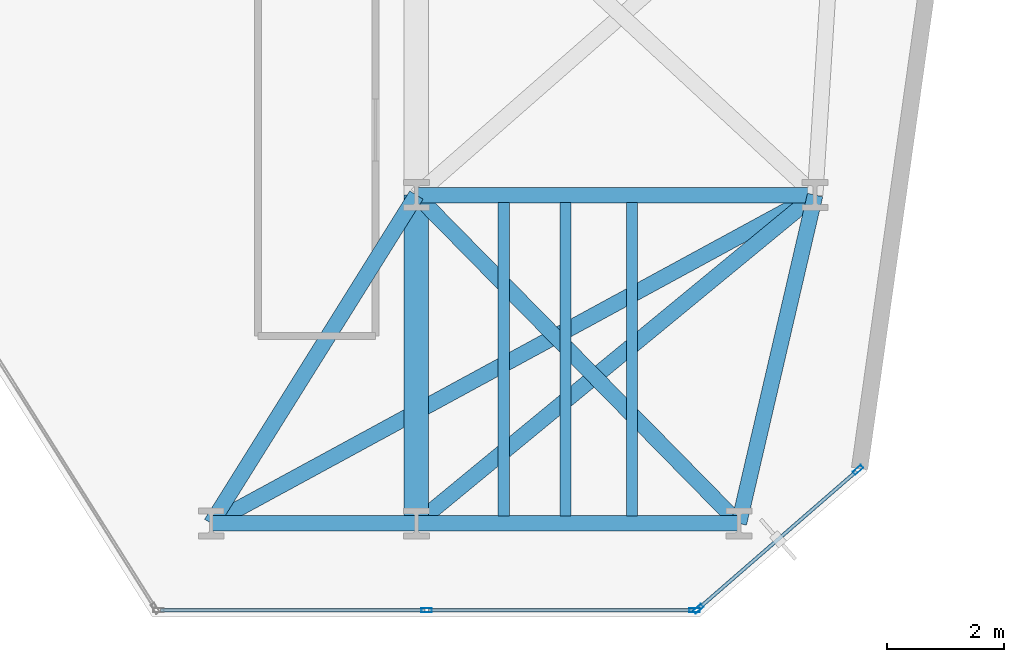
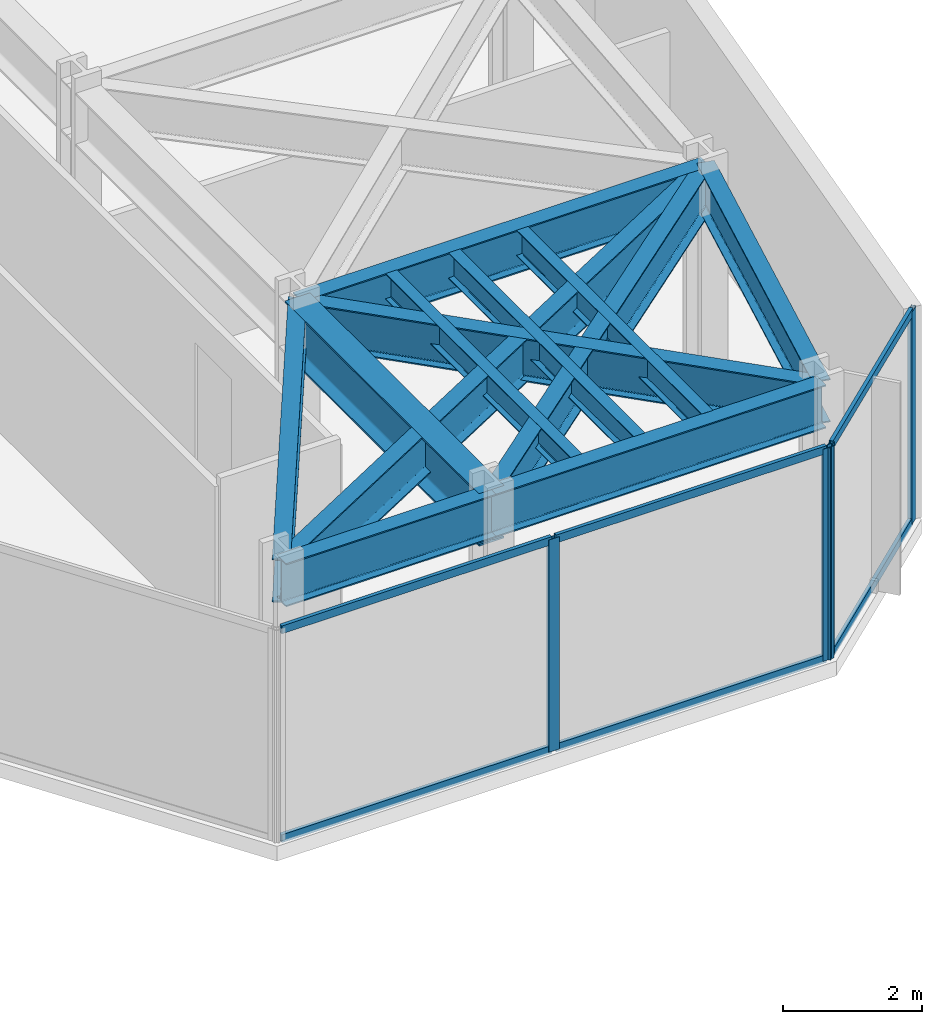
# One storey, part 13 of 25: 12 beams, 10 members, 2 elements without a shape of their own.
"""IFC4 building model written with IfcOpenShell, lengths in metres."""

import ifcopenshell
import ifcopenshell.guid

model = None  # the IFC model being written
_history = None  # IfcOwnerHistory: only IFC2X3 demands one
_inside = {}  # id of a spatial element -> (the spatial element, [elements in it])
_under = {}  # id of a project, library or spatial element -> (it, [spatial elements below it])
_declared = {}  # id of a project -> (the project, [libraries it declares])
_typed = {}  # id of a type object -> (the type object, [elements of that type])
_made_of = {}  # id of a material, layer set ... -> (it, [elements and type objects made of it])


def new_model(schema):
    """Start an empty IFC model of exactly this schema.

    Asked for "IFC4X3", IfcOpenShell would pick the latest addendum, in which some entities
    have other attributes; the version numbers below select the first issue.
    IFC2X3 requires an IfcOwnerHistory on every rooted entity: one is made here for all.
    """
    global model, _history
    if schema == "IFC4X3":
        model = ifcopenshell.file(schema_version=(4, 3, 0, 0))
    else:
        model = ifcopenshell.file(schema=schema)
    _inside.clear()
    _under.clear()
    _declared.clear()
    _typed.clear()
    _made_of.clear()
    _history = None
    if model.schema == "IFC2X3":
        org = make("IfcOrganization", Name="unknown")
        user = make(
            "IfcPersonAndOrganization",
            ThePerson=make("IfcPerson", FamilyName="unknown"),
            TheOrganization=org,
        )
        app = make(
            "IfcApplication",
            ApplicationDeveloper=org,
            Version="unknown",
            ApplicationFullName="unknown",
            ApplicationIdentifier="unknown",
        )
        _history = make(
            "IfcOwnerHistory",
            OwningUser=user,
            OwningApplication=app,
            ChangeAction="ADDED",
            CreationDate=0,
        )
    return model


def make(cls, **values):
    """One entity of the class cls with the attributes given. An attribute that is None is left unset."""
    return model.create_entity(
        cls, **{name: value for name, value in values.items() if value is not None}
    )


def rooted(cls, **values):
    """An entity with a GlobalId (a new one), such as an element, a storey or a relation."""
    return make(cls, GlobalId=ifcopenshell.guid.new(), OwnerHistory=_history, **values)


def si_unit(unit_type, name, prefix=None):
    """IfcSIUnit, for example si_unit("LENGTHUNIT", "METRE", prefix="MILLI")."""
    return make("IfcSIUnit", UnitType=unit_type, Prefix=prefix, Name=name)


def assignment(units):
    """IfcUnitAssignment: the units of a project."""
    return None if units is None else make("IfcUnitAssignment", Units=units)


def point(xyz):
    """IfcCartesianPoint."""
    return None if xyz is None else make("IfcCartesianPoint", Coordinates=xyz)


def direction(xyz):
    """IfcDirection."""
    return None if xyz is None else make("IfcDirection", DirectionRatios=xyz)


def frame(location, z_axis=None, x_axis=None):
    """IfcAxis2Placement3D, a coordinate frame: its origin and axes. An axis left out is left unset."""
    return make(
        "IfcAxis2Placement3D",
        Location=point(location),
        Axis=direction(z_axis),
        RefDirection=direction(x_axis),
    )


def frame_2d(location, x_axis=None):
    """IfcAxis2Placement2D, a coordinate frame in the plane: its origin and x axis."""
    return make(
        "IfcAxis2Placement2D", Location=point(location), RefDirection=direction(x_axis)
    )


def origin():
    """The frame at (0, 0, 0) with its axes left unset."""
    return frame((0.0, 0.0, 0.0))


def origin_2d():
    """The frame at (0, 0) in the plane with its x axis left unset."""
    return frame_2d((0.0, 0.0))


def place(relative_to, where):
    """IfcLocalPlacement: puts the frame where relative to a parent placement (None: the world)."""
    return make(
        "IfcLocalPlacement", PlacementRelTo=relative_to, RelativePlacement=where
    )


def context(
    kind, dimensions, precision=None, world=None, true_north=None, identifier=None
):
    """IfcGeometricRepresentationContext, for example the 3D "Model" context."""
    return make(
        "IfcGeometricRepresentationContext",
        ContextIdentifier=identifier,
        ContextType=kind,
        CoordinateSpaceDimension=dimensions,
        Precision=precision,
        WorldCoordinateSystem=world,
        TrueNorth=true_north,
    )


def subcontext(parent, identifier, kind, view, scale=None):
    """IfcGeometricRepresentationSubContext, for example "Body" below "Model"."""
    return make(
        "IfcGeometricRepresentationSubContext",
        ContextIdentifier=identifier,
        ContextType=kind,
        ParentContext=parent,
        TargetScale=scale,
        TargetView=view,
    )


def project(units=None, contexts=None):
    """IfcProject with its units and contexts."""
    return rooted(
        "IfcProject",
        Name="project",
        RepresentationContexts=contexts,
        UnitsInContext=assignment(units),
    )


def spatial(cls, under=None, at=None, **own):
    """A site, building, storey or space (cls), placed at a placement, below another one or the project."""
    s = rooted(cls, ObjectPlacement=at, **own)
    if under is not None:
        _under.setdefault(under.id(), (under, []))[1].append(s)
    return s


def profile(cls, at=None, kind="AREA", **sizes):
    """A parametric profile (cls). Its sizes go by their IFC names, for example OverallWidth=200.0."""
    return make(cls, ProfileType=kind, Position=at, **sizes)


def hollow_rectangle(**sizes):
    """IfcRectangleHollowProfileDef."""
    return profile("IfcRectangleHollowProfileDef", **sizes)


def i_section(**sizes):
    """IfcIShapeProfileDef."""
    return profile("IfcIShapeProfileDef", **sizes)


def extrude(swept, where, along, depth):
    """IfcExtrudedAreaSolid: the profile swept, set in the frame where, extruded along a direction by depth."""
    return make(
        "IfcExtrudedAreaSolid",
        SweptArea=swept,
        Position=where,
        ExtrudedDirection=direction(along),
        Depth=depth,
    )


def shape(context_of_items, identifier, shape_type, items):
    """IfcShapeRepresentation: the items that make up one representation, for example the "Body"."""
    return make(
        "IfcShapeRepresentation",
        ContextOfItems=context_of_items,
        RepresentationIdentifier=identifier,
        RepresentationType=shape_type,
        Items=items,
    )


def material(Name=None, Category=None):
    """IfcMaterial."""
    return make("IfcMaterial", Name=Name, Category=Category)


def layer(
    of_material, thickness, ventilated=None, Name=None, Category=None, Priority=None
):
    """IfcMaterialLayer: one layer of a wall or slab, of a material (None: an air gap)."""
    return make(
        "IfcMaterialLayer",
        Material=of_material,
        LayerThickness=thickness,
        IsVentilated=ventilated,
        Name=Name,
        Category=Category,
        Priority=Priority,
    )


def layer_set(layers, Name=None):
    """IfcMaterialLayerSet."""
    return make("IfcMaterialLayerSet", MaterialLayers=layers, LayerSetName=Name)


def material_profile(
    of_material, cross_section, Name=None, Category=None, Priority=None
):
    """IfcMaterialProfile: a cross section and its material."""
    return make(
        "IfcMaterialProfile",
        Name=Name,
        Material=of_material,
        Profile=cross_section,
        Priority=Priority,
        Category=Category,
    )


def profile_set(profiles, Name=None, composite=None):
    """IfcMaterialProfileSet."""
    return make(
        "IfcMaterialProfileSet",
        Name=Name,
        MaterialProfiles=profiles,
        CompositeProfile=composite,
    )


def made_of(thing, what):
    """Note that an element or type object is made of a material, layer set ...; save() writes the relation."""
    if what is not None:
        _made_of.setdefault(what.id(), (what, []))[1].append(thing)
    return thing


def type_object(cls, material=None, **own):
    """A type object (cls), such as IfcWallType, which elements share."""
    return made_of(rooted(cls, **own), material)


def element(
    cls,
    number,
    at=None,
    inside=None,
    cuts=None,
    type_object=None,
    material=None,
    context=None,
    identifier="Body",
    shape_type=None,
    held_by="IfcProductDefinitionShape",
    body=None,
    shapes=None,
    **own,
):
    """One element of the class cls, such as IfcWall. Its Tag is "e" and its number.

    at: its placement. inside: the storey or other place that contains it. cuts: it is an
    opening in that element (IfcRelVoidsElement). A single representation is given by context,
    identifier, shape_type and body (its items); several are given by shapes. held_by: the class
    of the entity that holds the representations. save() writes the other relations.
    """
    e = rooted(cls, Tag="e%d" % number, ObjectPlacement=at, **own)
    if body is not None:
        shapes = [shape(context, identifier, shape_type, body)]
    if shapes is not None:
        e.Representation = make(held_by, Representations=shapes)
    if inside is not None:
        _inside.setdefault(inside.id(), (inside, []))[1].append(e)
    if cuts is not None:
        rooted(
            "IfcRelVoidsElement", RelatingBuildingElement=cuts, RelatedOpeningElement=e
        )
    if type_object is not None:
        _typed.setdefault(type_object.id(), (type_object, []))[1].append(e)
    return made_of(e, material)


def aggregate(whole, parts):
    """IfcRelAggregates: a whole, such as a stair, and the parts it consists of."""
    return rooted("IfcRelAggregates", RelatingObject=whole, RelatedObjects=parts)


def save(model, path):
    """Write the relations noted so far, then the file.

    IfcRelAggregates (storeys below a building ...), IfcRelContainedInSpatialStructure (elements
    in a storey), IfcRelDefinesByType, IfcRelAssociatesMaterial and IfcRelDeclares: one each for
    every whole, place, type object, material and project.
    """
    for whole, parts in _under.values():
        aggregate(whole, parts)
    for where, things in _inside.values():
        rooted(
            "IfcRelContainedInSpatialStructure",
            RelatedElements=things,
            RelatingStructure=where,
        )
    for kind, things in _typed.values():
        rooted("IfcRelDefinesByType", RelatedObjects=things, RelatingType=kind)
    for what, things in _made_of.values():
        rooted("IfcRelAssociatesMaterial", RelatedObjects=things, RelatingMaterial=what)
    for by, libraries in _declared.values():
        rooted("IfcRelDeclares", RelatingContext=by, RelatedDefinitions=libraries)
    model.write(path)


model = new_model("IFC4")

# Units and contexts
model_context = context("Model", 3, precision=1e-05, world=origin(), true_north=direction((0.0, 1.0)))
body_context = subcontext(model_context, "Body", "Model", "MODEL_VIEW")
ifc_project = project(units=[si_unit("LENGTHUNIT", "METRE"), si_unit("AREAUNIT", "SQUARE_METRE"), si_unit("VOLUMEUNIT", "CUBIC_METRE"), si_unit("PLANEANGLEUNIT", "RADIAN"), si_unit("MASSUNIT", "GRAM", prefix="KILO")], contexts=[model_context])

# Site, building, storey
site_placement = place(None, origin())
site = spatial("IfcSite", under=ifc_project, at=site_placement, CompositionType="ELEMENT")
building_placement = place(site_placement, origin())
building = spatial("IfcBuilding", under=site, at=building_placement, Name="Kravanh Interchange Tower", CompositionType="ELEMENT")
storey_placement = place(building_placement, frame((0.0, 0.0, 49.5)))
storey = spatial("IfcBuildingStorey", under=building, at=storey_placement, Name="L11", CompositionType="ELEMENT", Elevation=49.5)

# Curtain wall, members
ifc_material_1 = material(Name="Anodised Bronze Aluminium", Category="aluminium")
ifc_layer = layer(ifc_material_1, 0.179931640625)
ifc_layer_set = layer_set([ifc_layer], Name="Unitised Curtain Wall System CW-Z1 Lower Office")
curtain_wall_type = type_object("IfcCurtainWallType", Name="Unitised Curtain Wall System CW-Z1 Lower Office", PredefinedType="NOTDEFINED", material=ifc_layer_set)
curtain_wall_1_placement = place(storey_placement, origin())
curtain_wall_1 = element("IfcCurtainWall", 1, at=curtain_wall_1_placement, inside=storey, type_object=curtain_wall_type, Name="L11 Unitised Curtain Wall CW-L11-02", PredefinedType="NOTDEFINED")
ifc_material_2 = material(Name="Anodised Bronze Aluminium", Category="aluminium")
ifc_material_profile_1 = material_profile(ifc_material_2, hollow_rectangle(XDim=0.070068359375, YDim=0.179931640625, WallThickness=0.00390625, at=origin_2d()), Name="ALU70X180X4")
ifc_profile_set_1 = profile_set([ifc_material_profile_1], Name="Anodised Bronze Aluminium")
member_type_1 = type_object("IfcMemberType", Name="Curtain Wall Mullion ALU70X180X4 Bronze", PredefinedType="MULLION", material=ifc_profile_set_1)
member_1_placement = place(storey_placement, frame((63.533203125, 3.513916015625, 0.0), z_axis=(0.0, 0.0, 1.0), x_axis=(0.656060422341, -0.754708368999, 0.0)))
member_1 = element("IfcMember", 2, at=member_1_placement, type_object=member_type_1, Name="CW-Z1 mullion 1", PredefinedType="MULLION", context=body_context, shape_type="SweptSolid", body=[
    extrude(hollow_rectangle(XDim=0.070068359375, YDim=0.179931640625, WallThickness=0.00390625, at=origin_2d()), origin(), (0.0, 0.0, 1.0), 3.739990234375),
])
member_2_placement = place(storey_placement, frame((60.805908203125, 1.14306640625, 0.0), z_axis=(0.0, 0.0, 1.0), x_axis=(0.656060422341, -0.754708368999, 0.0)))
member_2 = element("IfcMember", 3, at=member_2_placement, type_object=member_type_1, Name="CW-Z1 mullion 2", PredefinedType="MULLION", context=body_context, shape_type="SweptSolid", body=[
    extrude(hollow_rectangle(XDim=0.070068359375, YDim=0.179931640625, WallThickness=0.00390625, at=origin_2d()), origin(), (0.0, 0.0, 1.0), 3.739990234375),
])

curtain_wall_2_placement = place(storey_placement, origin())
curtain_wall_2 = element("IfcCurtainWall", 4, at=curtain_wall_2_placement, inside=storey, type_object=curtain_wall_type, Name="L11 Unitised Curtain Wall CW-L11-03", PredefinedType="NOTDEFINED")
member_3_placement = place(storey_placement, frame((60.744384765625, 1.1201171875, 0.0), z_axis=(0.0, 0.0, 1.0), x_axis=(0.0, -1.0, 0.0)))
member_3 = element("IfcMember", 5, at=member_3_placement, type_object=member_type_1, Name="CW-Z1 mullion 1", PredefinedType="MULLION", context=body_context, shape_type="SweptSolid", body=[
    extrude(hollow_rectangle(XDim=0.070068359375, YDim=0.179931640625, WallThickness=0.00390625, at=origin_2d()), origin(), (0.0, 0.0, 1.0), 3.739990234375),
])
member_4_placement = place(storey_placement, frame((56.1728515625, 1.1201171875, 0.0), z_axis=(0.0, 0.0, 1.0), x_axis=(0.0, -1.0, 0.0)))
member_4 = element("IfcMember", 6, at=member_4_placement, type_object=member_type_1, Name="CW-Z1 mullion 2", PredefinedType="MULLION", context=body_context, shape_type="SweptSolid", body=[
    extrude(hollow_rectangle(XDim=0.070068359375, YDim=0.179931640625, WallThickness=0.00390625, at=origin_2d()), origin(), (0.0, 0.0, 1.0), 3.739990234375),
])

# Member
ifc_material_3 = material(Name="Anodised Bronze Aluminium", Category="aluminium")
ifc_material_profile_2 = material_profile(ifc_material_3, hollow_rectangle(XDim=0.06005859375, YDim=0.139892578125, WallThickness=0.00390625, at=origin_2d()), Name="ALU60X140X4")
ifc_profile_set_2 = profile_set([ifc_material_profile_2], Name="Anodised Bronze Aluminium")
member_type_2 = type_object("IfcMemberType", Name="Curtain Wall Transom ALU60X140X4 Bronze", PredefinedType="USERDEFINED", material=ifc_profile_set_2)
member_5_placement = place(storey_placement, frame((63.5068359375, 3.490966796875, 0.030029296875), z_axis=(-0.754710815466, -0.656057608004, 0.0), x_axis=(0.656057608004, -0.754710815466, 0.0)))
member_5 = element("IfcMember", 7, at=member_5_placement, type_object=member_type_2, Name="CW-Z1 transom 1.1", ObjectType="TRANSOM", PredefinedType="USERDEFINED", context=body_context, shape_type="SweptSolid", body=[
    extrude(hollow_rectangle(XDim=0.06005859375, YDim=0.139892578125, WallThickness=0.00390625, at=origin_2d()), origin(), (0.0, 0.0, 1.0), 3.543701171875),
])

member_6_placement = place(storey_placement, frame((63.5068359375, 3.490966796875, 3.7099609375), z_axis=(-0.754710815466, -0.656057608004, 0.0), x_axis=(0.656057608004, -0.754710815466, 0.0)))
member_6 = element("IfcMember", 8, at=member_6_placement, type_object=member_type_2, Name="CW-Z1 transom 1.2", ObjectType="TRANSOM", PredefinedType="USERDEFINED", context=body_context, shape_type="SweptSolid", body=[
    extrude(hollow_rectangle(XDim=0.06005859375, YDim=0.139892578125, WallThickness=0.00390625, at=origin_2d()), origin(), (0.0, 0.0, 1.0), 3.543701171875),
])

aggregate(curtain_wall_1, [member_1, member_2, member_5, member_6])

member_7_placement = place(storey_placement, frame((60.70947265625, 1.1201171875, 0.030029296875), z_axis=(-1.0, 0.0, 0.0), x_axis=(0.0, -1.0, 0.0)))
member_7 = element("IfcMember", 9, at=member_7_placement, type_object=member_type_2, Name="CW-Z1 transom 1.1", ObjectType="TRANSOM", PredefinedType="USERDEFINED", context=body_context, shape_type="SweptSolid", body=[
    extrude(hollow_rectangle(XDim=0.06005859375, YDim=0.139892578125, WallThickness=0.00390625, at=origin_2d()), origin(), (0.0, 0.0, 1.0), 4.501708984375),
])

member_8_placement = place(storey_placement, frame((60.70947265625, 1.1201171875, 3.7099609375), z_axis=(-1.0, 0.0, 0.0), x_axis=(0.0, -1.0, 0.0)))
member_8 = element("IfcMember", 10, at=member_8_placement, type_object=member_type_2, Name="CW-Z1 transom 1.2", ObjectType="TRANSOM", PredefinedType="USERDEFINED", context=body_context, shape_type="SweptSolid", body=[
    extrude(hollow_rectangle(XDim=0.06005859375, YDim=0.139892578125, WallThickness=0.00390625, at=origin_2d()), origin(), (0.0, 0.0, 1.0), 4.501708984375),
])

member_9_placement = place(storey_placement, frame((56.1376953125, 1.1201171875, 0.030029296875), z_axis=(-1.0, 0.0, 0.0), x_axis=(0.0, -1.0, 0.0)))
member_9 = element("IfcMember", 11, at=member_9_placement, type_object=member_type_2, Name="CW-Z1 transom 2.1", ObjectType="TRANSOM", PredefinedType="USERDEFINED", context=body_context, shape_type="SweptSolid", body=[
    extrude(hollow_rectangle(XDim=0.06005859375, YDim=0.139892578125, WallThickness=0.00390625, at=origin_2d()), origin(), (0.0, 0.0, 1.0), 4.50146484375),
])

member_10_placement = place(storey_placement, frame((56.1376953125, 1.1201171875, 3.7099609375), z_axis=(-1.0, 0.0, 0.0), x_axis=(0.0, -1.0, 0.0)))
member_10 = element("IfcMember", 12, at=member_10_placement, type_object=member_type_2, Name="CW-Z1 transom 2.2", ObjectType="TRANSOM", PredefinedType="USERDEFINED", context=body_context, shape_type="SweptSolid", body=[
    extrude(hollow_rectangle(XDim=0.06005859375, YDim=0.139892578125, WallThickness=0.00390625, at=origin_2d()), origin(), (0.0, 0.0, 1.0), 4.50146484375),
])

aggregate(curtain_wall_2, [member_3, member_4, member_7, member_8, member_9, member_10])

# Beams
ifc_material_4 = material(Name="Structural Steel S355", Category="steel")
ifc_material_profile_3 = material_profile(ifc_material_4, i_section(OverallWidth=0.41796875, OverallDepth=0.927001953125, WebThickness=0.019287109375, FlangeThickness=0.031982421875, FilletRadius=0.028076171875, at=origin_2d()), Name="W36X231")
ifc_profile_set_3 = profile_set([ifc_material_profile_3], Name="Structural Steel S355")
beam_type_1 = type_object("IfcBeamType", Name="Floor Beam W36X231 Structural Steel S355", PredefinedType="BEAM", material=ifc_profile_set_3)
beam_1_placement = place(storey_placement, frame((56.0, 2.60009765625, 3.276611328125), z_axis=(0.0, 1.0, 0.0), x_axis=(-1.0, 0.0, 0.0)))
element("IfcBeam", 13, at=beam_1_placement, inside=storey, type_object=beam_type_1, Name="L11 Primary Floor Girder 129", PredefinedType="BEAM", context=body_context, shape_type="SweptSolid", body=[
    extrude(i_section(OverallWidth=0.41796875, OverallDepth=0.927001953125, WebThickness=0.019287109375, FlangeThickness=0.031982421875, FilletRadius=0.028076171875, at=origin_2d()), origin(), (0.0, 0.0, 1.0), 5.599853515625),
])
ifc_material_5 = material(Name="Structural Steel S355", Category="steel")
ifc_material_profile_4 = material_profile(ifc_material_5, i_section(OverallWidth=0.18994140625, OverallDepth=0.45703125, WebThickness=0.009033203125, FlangeThickness=0.014404296875, FilletRadius=0.01806640625, at=origin_2d()), Name="W18X50")
ifc_profile_set_4 = profile_set([ifc_material_profile_4], Name="Structural Steel S355")
beam_type_2 = type_object("IfcBeamType", Name="Floor Joist W18X50 Structural Steel S355", PredefinedType="JOIST", material=ifc_profile_set_4)
for number, where, z_axis, x_axis, name in (
    (14, (57.489990234375, 2.728515625, 3.511474609375), (0.0, 1.0, 0.0), (-1.0, 0.0, 0.0), "L11 Secondary Floor Joist 7"),
    (15, (58.5400390625, 2.728515625, 3.511474609375), (0.0, 1.0, 0.0), (-1.0, 0.0, 0.0), "L11 Secondary Floor Joist 8"),
    (16, (59.674072265625, 2.728515625, 3.511474609375), (0.0, 1.0, 0.0), (-1.0, 0.0, 0.0), "L11 Secondary Floor Joist 9"),
):
    element("IfcBeam", number, at=place(storey_placement, frame(where, z_axis=z_axis, x_axis=x_axis)), inside=storey, type_object=beam_type_2, Name=name, PredefinedType="JOIST", context=body_context, shape_type="SweptSolid", body=[
        extrude(i_section(OverallWidth=0.18994140625, OverallDepth=0.45703125, WebThickness=0.009033203125, FlangeThickness=0.014404296875, FilletRadius=0.01806640625, at=origin_2d()), origin(), (0.0, 0.0, 1.0), 5.343017578125),
    ])
ifc_material_6 = material(Name="Structural Steel S355", Category="steel")
ifc_material_profile_5 = material_profile(ifc_material_6, i_section(OverallWidth=0.26708984375, OverallDepth=0.761962890625, WebThickness=0.014404296875, FlangeThickness=0.021484375, FilletRadius=0.02490234375, at=origin_2d()), Name="W30X116")
ifc_profile_set_5 = profile_set([ifc_material_profile_5], Name="Structural Steel S355")
beam_type_3 = type_object("IfcBeamType", Name="Floor Spandrel W30X116 Structural Steel S355", PredefinedType="SPANDREL", material=ifc_profile_set_5)
beam_2_placement = place(storey_placement, frame((52.5, 2.60009765625, 3.35888671875), z_axis=(1.0, 0.0, 0.0), x_axis=(0.0, 1.0, 0.0)))
element("IfcBeam", 17, at=beam_2_placement, inside=storey, type_object=beam_type_3, Name="L11 Perimeter Spandrel 125", PredefinedType="SPANDREL", context=body_context, shape_type="SweptSolid", body=[
    extrude(i_section(OverallWidth=0.26708984375, OverallDepth=0.761962890625, WebThickness=0.014404296875, FlangeThickness=0.021484375, FilletRadius=0.02490234375, at=origin_2d()), origin(), (0.0, 0.0, 1.0), 3.5),
])
beam_3_placement = place(storey_placement, frame((52.5, 2.60009765625, 3.35888671875), z_axis=(0.530008909536, 0.847992072965, 0.0), x_axis=(-0.847992072965, 0.530008909536, 0.0)))
element("IfcBeam", 18, at=beam_3_placement, inside=storey, type_object=beam_type_3, Name="L11 Perimeter Spandrel 126", PredefinedType="SPANDREL", context=body_context, shape_type="SweptSolid", body=[
    extrude(i_section(OverallWidth=0.26708984375, OverallDepth=0.761962890625, WebThickness=0.014404296875, FlangeThickness=0.021484375, FilletRadius=0.02490234375, at=origin_2d()), origin(), (0.0, 0.0, 1.0), 6.603759765625),
])
beam_4_placement = place(storey_placement, frame((52.5, 2.60009765625, 3.35888671875), z_axis=(0.878552895081, 0.47764506754, 0.0), x_axis=(-0.47764506754, 0.878552895081, 0.0)))
element("IfcBeam", 19, at=beam_4_placement, inside=storey, type_object=beam_type_3, Name="L11 Perimeter Spandrel 127", PredefinedType="SPANDREL", context=body_context, shape_type="SweptSolid", body=[
    extrude(i_section(OverallWidth=0.26708984375, OverallDepth=0.761962890625, WebThickness=0.014404296875, FlangeThickness=0.021484375, FilletRadius=0.02490234375, at=origin_2d()), origin(), (0.0, 0.0, 1.0), 11.723876953125),
])
beam_5_placement = place(storey_placement, frame((56.0, 2.60009765625, 3.35888671875), z_axis=(1.0, 0.0, 0.0), x_axis=(0.0, 1.0, 0.0)))
element("IfcBeam", 20, at=beam_5_placement, inside=storey, type_object=beam_type_3, Name="L11 Perimeter Spandrel 128", PredefinedType="SPANDREL", context=body_context, shape_type="SweptSolid", body=[
    extrude(i_section(OverallWidth=0.26708984375, OverallDepth=0.761962890625, WebThickness=0.014404296875, FlangeThickness=0.021484375, FilletRadius=0.02490234375, at=origin_2d()), origin(), (0.0, 0.0, 1.0), 5.5),
])
beam_6_placement = place(storey_placement, frame((56.0, 2.60009765625, 3.35888671875), z_axis=(0.771940635711, 0.635694623965, 0.0), x_axis=(-0.635694623965, 0.771940635711, 0.0)))
element("IfcBeam", 21, at=beam_6_placement, inside=storey, type_object=beam_type_3, Name="L11 Perimeter Spandrel 130", PredefinedType="SPANDREL", context=body_context, shape_type="SweptSolid", body=[
    extrude(i_section(OverallWidth=0.26708984375, OverallDepth=0.761962890625, WebThickness=0.014404296875, FlangeThickness=0.021484375, FilletRadius=0.02490234375, at=origin_2d()), origin(), (0.0, 0.0, 1.0), 8.80908203125),
])
beam_7_placement = place(storey_placement, frame((61.5, 2.60009765625, 3.35888671875), z_axis=(0.226143379252, 0.974094026273, 0.0), x_axis=(-0.974094026273, 0.226143379252, 0.0)))
element("IfcBeam", 22, at=beam_7_placement, inside=storey, type_object=beam_type_3, Name="L11 Perimeter Spandrel 131", PredefinedType="SPANDREL", context=body_context, shape_type="SweptSolid", body=[
    extrude(i_section(OverallWidth=0.26708984375, OverallDepth=0.761962890625, WebThickness=0.014404296875, FlangeThickness=0.021484375, FilletRadius=0.02490234375, at=origin_2d()), origin(), (0.0, 0.0, 1.0), 5.748779296875),
])
beam_8_placement = place(storey_placement, frame((61.5, 2.60009765625, 3.35888671875), z_axis=(-0.700717344595, 0.71343899738, 0.0), x_axis=(-0.71343899738, -0.700717344595, 0.0)))
element("IfcBeam", 23, at=beam_8_placement, inside=storey, type_object=beam_type_3, Name="L11 Perimeter Spandrel 132", PredefinedType="SPANDREL", context=body_context, shape_type="SweptSolid", body=[
    extrude(i_section(OverallWidth=0.26708984375, OverallDepth=0.761962890625, WebThickness=0.014404296875, FlangeThickness=0.021484375, FilletRadius=0.02490234375, at=origin_2d()), origin(), (0.0, 0.0, 1.0), 7.84912109375),
])
beam_9_placement = place(storey_placement, frame((56.0, 8.199951171875, 3.35888671875), z_axis=(1.0, 0.0, 0.0), x_axis=(0.0, 1.0, 0.0)))
element("IfcBeam", 24, at=beam_9_placement, inside=storey, type_object=beam_type_3, Name="L11 Perimeter Spandrel 142", PredefinedType="SPANDREL", context=body_context, shape_type="SweptSolid", body=[
    extrude(i_section(OverallWidth=0.26708984375, OverallDepth=0.761962890625, WebThickness=0.014404296875, FlangeThickness=0.021484375, FilletRadius=0.02490234375, at=origin_2d()), origin(), (0.0, 0.0, 1.0), 6.800048828125),
])

save(model, "model.ifc")
